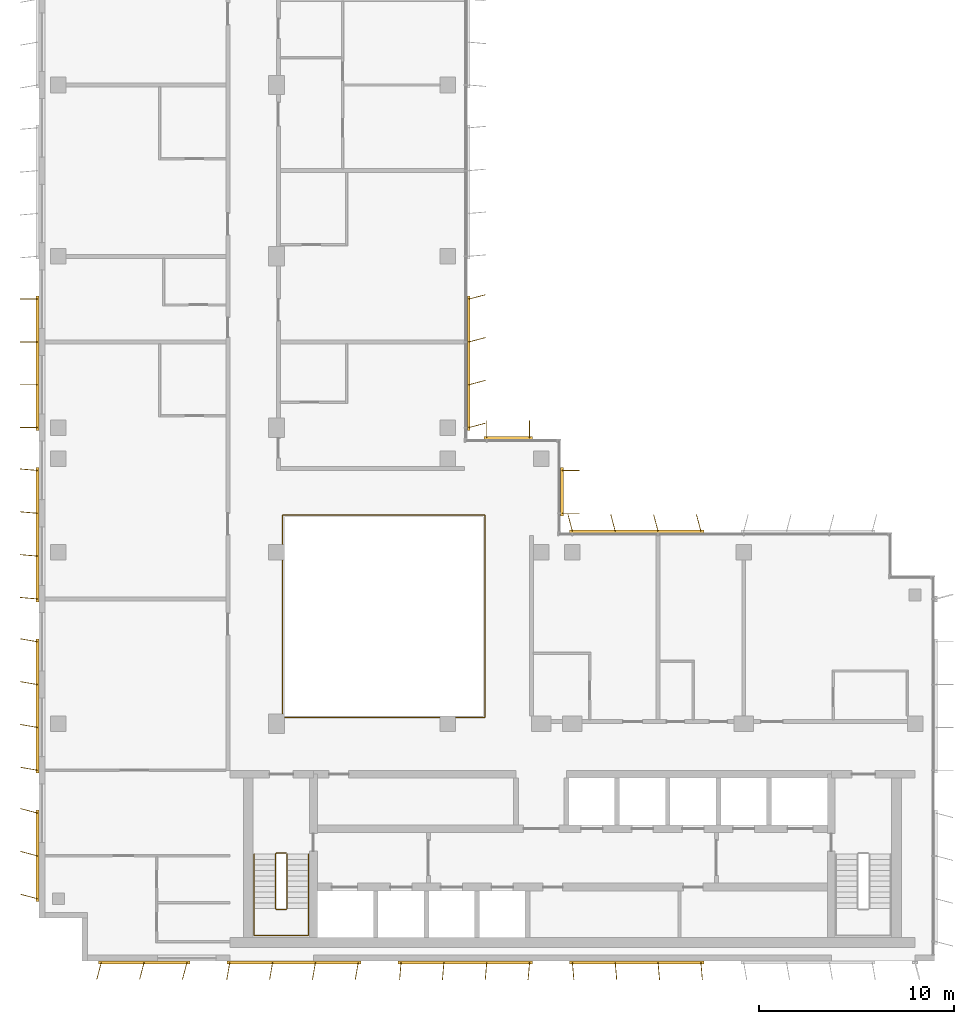
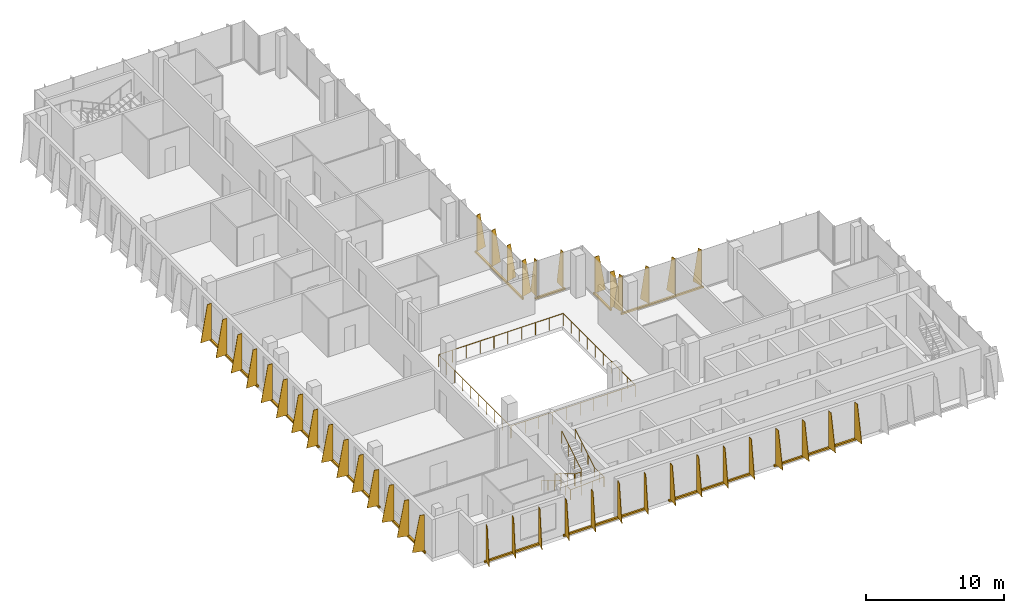
# One storey, part 13 of 15: 12 shading devices, 3 railings.
"""IFC4 building model written with IfcOpenShell, lengths in metres."""

from ifc_helpers import new_model, si_unit, direction, frame, origin, origin_2d, place, context, subcontext, project, spatial, polyline, rectangle, circle, outline, extrude, source, transform, mapped, material, layer, layer_set, type_object, element, save


model = new_model("IFC4")

# Units and contexts
model_context = context("Model", 3, precision=1e-05, world=origin(), true_north=direction((0.0, 1.0)))
body_context = subcontext(model_context, "Body", "Model", "MODEL_VIEW")
ifc_project = project(units=[si_unit("LENGTHUNIT", "METRE"), si_unit("AREAUNIT", "SQUARE_METRE"), si_unit("VOLUMEUNIT", "CUBIC_METRE"), si_unit("PLANEANGLEUNIT", "RADIAN"), si_unit("MASSUNIT", "GRAM", prefix="KILO")], contexts=[model_context])

# Site, building, storey
site_placement = place(None, origin())
site = spatial("IfcSite", under=ifc_project, at=site_placement, CompositionType="ELEMENT")
building_placement = place(site_placement, origin())
building = spatial("IfcBuilding", under=site, at=building_placement, Name="Kemantara Hotel Tower", CompositionType="ELEMENT")
storey_placement = place(building_placement, frame((0.0, 0.0, 264.800048828125)))
storey = spatial("IfcBuildingStorey", under=building, at=storey_placement, Name="L66", CompositionType="ELEMENT", Elevation=264.800048828125)

# Railings
ifc_material_1 = material(Name="Stainless steel and laminated glass balustrade", Category="steel")
railing_type_1 = type_object("IfcRailingType", Name="ATRIUM GUARD 1100", PredefinedType="GUARDRAIL", material=ifc_material_1)
railing_1_placement = place(storey_placement, frame((12.56005859375, 12.5, 0.0)))
element("IfcRailing", 1, at=railing_1_placement, inside=storey, type_object=railing_type_1, Name="ATRIUM GUARD L66", PredefinedType="GUARDRAIL", context=body_context, shape_type="SweptSolid", body=[
    extrude(circle(Radius=0.02490234375, at=origin_2d()), frame((0.0, 0.0, 1.0751953125), z_axis=(1.0, 0.0, 0.0), x_axis=(0.0, 1.0, 0.0)), (0.0, 0.0, 1.0), 10.33984375),
    extrude(circle(Radius=0.02490234375, at=origin_2d()), frame((10.33984375, 0.0, 1.0751953125), z_axis=(0.0, 1.0, 0.0), x_axis=(-1.0, 0.0, 0.0)), (0.0, 0.0, 1.0), 10.39990234375),
    extrude(circle(Radius=0.02490234375, at=origin_2d()), frame((10.33984375, 10.39990234375, 1.0751953125), z_axis=(-1.0, 0.0, 0.0), x_axis=(0.0, -1.0, 0.0)), (0.0, 0.0, 1.0), 10.39990234375),
    extrude(circle(Radius=0.02490234375, at=origin_2d()), frame((-0.06005859375, 10.39990234375, 1.0751953125), z_axis=(0.0, -1.0, 0.0), x_axis=(1.0, 0.0, 0.0)), (0.0, 0.0, 1.0), 10.39990234375),
    extrude(circle(Radius=0.02001953125, at=origin_2d()), origin(), (0.0, 0.0, 1.0), 1.050048828125),
    extrude(circle(Radius=0.02001953125, at=origin_2d()), frame((1.14892578125, 0.0, 0.0)), (0.0, 0.0, 1.0), 1.050048828125),
    extrude(circle(Radius=0.02001953125, at=origin_2d()), frame((2.2978515625, 0.0, 0.0)), (0.0, 0.0, 1.0), 1.050048828125),
    extrude(circle(Radius=0.02001953125, at=origin_2d()), frame((3.446533203125, 0.0, 0.0)), (0.0, 0.0, 1.0), 1.050048828125),
    extrude(circle(Radius=0.02001953125, at=origin_2d()), frame((4.595458984375, 0.0, 0.0)), (0.0, 0.0, 1.0), 1.050048828125),
    extrude(circle(Radius=0.02001953125, at=origin_2d()), frame((5.744384765625, 0.0, 0.0)), (0.0, 0.0, 1.0), 1.050048828125),
    extrude(circle(Radius=0.02001953125, at=origin_2d()), frame((6.893310546875, 0.0, 0.0)), (0.0, 0.0, 1.0), 1.050048828125),
    extrude(circle(Radius=0.02001953125, at=origin_2d()), frame((8.0419921875, 0.0, 0.0)), (0.0, 0.0, 1.0), 1.050048828125),
    extrude(circle(Radius=0.02001953125, at=origin_2d()), frame((9.19091796875, 0.0, 0.0)), (0.0, 0.0, 1.0), 1.050048828125),
    extrude(circle(Radius=0.02001953125, at=origin_2d()), frame((10.33984375, 0.0, 0.0)), (0.0, 0.0, 1.0), 1.050048828125),
    extrude(circle(Radius=0.02001953125, at=origin_2d()), frame((10.33984375, 1.155517578125, 0.0)), (0.0, 0.0, 1.0), 1.050048828125),
    extrude(circle(Radius=0.02001953125, at=origin_2d()), frame((10.33984375, 2.31103515625, 0.0)), (0.0, 0.0, 1.0), 1.050048828125),
    extrude(circle(Radius=0.02001953125, at=origin_2d()), frame((10.33984375, 3.466552734375, 0.0)), (0.0, 0.0, 1.0), 1.050048828125),
    extrude(circle(Radius=0.02001953125, at=origin_2d()), frame((10.33984375, 4.6220703125, 0.0)), (0.0, 0.0, 1.0), 1.050048828125),
    extrude(circle(Radius=0.02001953125, at=origin_2d()), frame((10.33984375, 5.77783203125, 0.0)), (0.0, 0.0, 1.0), 1.050048828125),
    extrude(circle(Radius=0.02001953125, at=origin_2d()), frame((10.33984375, 6.933349609375, 0.0)), (0.0, 0.0, 1.0), 1.050048828125),
    extrude(circle(Radius=0.02001953125, at=origin_2d()), frame((10.33984375, 8.0888671875, 0.0)), (0.0, 0.0, 1.0), 1.050048828125),
    extrude(circle(Radius=0.02001953125, at=origin_2d()), frame((10.33984375, 9.244384765625, 0.0)), (0.0, 0.0, 1.0), 1.050048828125),
    extrude(circle(Radius=0.02001953125, at=origin_2d()), frame((10.33984375, 10.39990234375, 0.0)), (0.0, 0.0, 1.0), 1.050048828125),
    extrude(circle(Radius=0.02001953125, at=origin_2d()), frame((9.184326171875, 10.39990234375, 0.0)), (0.0, 0.0, 1.0), 1.050048828125),
    extrude(circle(Radius=0.02001953125, at=origin_2d()), frame((8.02880859375, 10.39990234375, 0.0)), (0.0, 0.0, 1.0), 1.050048828125),
    extrude(circle(Radius=0.02001953125, at=origin_2d()), frame((6.873291015625, 10.39990234375, 0.0)), (0.0, 0.0, 1.0), 1.050048828125),
    extrude(circle(Radius=0.02001953125, at=origin_2d()), frame((5.7177734375, 10.39990234375, 0.0)), (0.0, 0.0, 1.0), 1.050048828125),
    extrude(circle(Radius=0.02001953125, at=origin_2d()), frame((4.56201171875, 10.39990234375, 0.0)), (0.0, 0.0, 1.0), 1.050048828125),
    extrude(circle(Radius=0.02001953125, at=origin_2d()), frame((3.406494140625, 10.39990234375, 0.0)), (0.0, 0.0, 1.0), 1.050048828125),
    extrude(circle(Radius=0.02001953125, at=origin_2d()), frame((2.2509765625, 10.39990234375, 0.0)), (0.0, 0.0, 1.0), 1.050048828125),
    extrude(circle(Radius=0.02001953125, at=origin_2d()), frame((1.095458984375, 10.39990234375, 0.0)), (0.0, 0.0, 1.0), 1.050048828125),
    extrude(circle(Radius=0.02001953125, at=origin_2d()), frame((-0.06005859375, 10.39990234375, 0.0)), (0.0, 0.0, 1.0), 1.050048828125),
    extrude(circle(Radius=0.02001953125, at=origin_2d()), frame((-0.06005859375, 9.244384765625, 0.0)), (0.0, 0.0, 1.0), 1.050048828125),
    extrude(circle(Radius=0.02001953125, at=origin_2d()), frame((-0.06005859375, 8.0888671875, 0.0)), (0.0, 0.0, 1.0), 1.050048828125),
    extrude(circle(Radius=0.02001953125, at=origin_2d()), frame((-0.06005859375, 6.933349609375, 0.0)), (0.0, 0.0, 1.0), 1.050048828125),
    extrude(circle(Radius=0.02001953125, at=origin_2d()), frame((-0.06005859375, 5.77783203125, 0.0)), (0.0, 0.0, 1.0), 1.050048828125),
    extrude(circle(Radius=0.02001953125, at=origin_2d()), frame((-0.06005859375, 4.6220703125, 0.0)), (0.0, 0.0, 1.0), 1.050048828125),
    extrude(circle(Radius=0.02001953125, at=origin_2d()), frame((-0.06005859375, 3.466552734375, 0.0)), (0.0, 0.0, 1.0), 1.050048828125),
    extrude(circle(Radius=0.02001953125, at=origin_2d()), frame((-0.06005859375, 2.31103515625, 0.0)), (0.0, 0.0, 1.0), 1.050048828125),
    extrude(circle(Radius=0.02001953125, at=origin_2d()), frame((-0.06005859375, 1.155517578125, 0.0)), (0.0, 0.0, 1.0), 1.050048828125),
    extrude(circle(Radius=0.02001953125, at=origin_2d()), frame((-0.06005859375, 0.0, 0.0)), (0.0, 0.0, 1.0), 1.050048828125),
])
ifc_material_2 = material(Name="Stainless steel balustrade", Category="steel")
railing_type_2 = type_object("IfcRailingType", Name="Stair guard 1100 mm", PredefinedType="GUARDRAIL", material=ifc_material_2)
railing_2_placement = place(storey_placement, frame((12.75, 5.5, 3.699951171875)))
element("IfcRailing", 2, at=railing_2_placement, inside=storey, type_object=railing_type_2, Name="L66 ST1 stair guard 1", PredefinedType="GUARDRAIL", context=body_context, shape_type="SweptSolid", body=[
    extrude(circle(Radius=0.02392578125, at=origin_2d()), frame((0.0, 0.0, 1.076171875), z_axis=(0.0, -0.857242210791, -0.514913383045), x_axis=(1.0, 0.0, 0.0)), (0.0, 0.0, 1.0), 3.266357421875),
    extrude(circle(Radius=0.02392578125, at=origin_2d()), frame((0.0, -2.800048828125, -0.60595703125), z_axis=(-0.274243871929, -0.274243871929, -0.92172696468), x_axis=(0.707106781187, -0.707106781187, 0.0)), (0.0, 0.0, 1.0), 0.1826171875),
    extrude(circle(Radius=0.02392578125, at=origin_2d()), frame((-0.050048828125, -2.85009765625, -0.77392578125), z_axis=(-1.0, 0.0, 0.0), x_axis=(0.0, -1.0, 0.0)), (0.0, 0.0, 1.0), 0.5),
    extrude(circle(Radius=0.02392578125, at=origin_2d()), frame((-0.550048828125, -2.85009765625, -0.77392578125), z_axis=(-0.707106781187, 0.707106781187, 0.0), x_axis=(-0.707106781187, -0.707106781187, 0.0)), (0.0, 0.0, 1.0), 0.07080078125),
    extrude(circle(Radius=0.02392578125, at=origin_2d()), frame((-0.60009765625, -2.800048828125, -0.77392578125), z_axis=(0.0, 0.857275202839, -0.514858452973), x_axis=(-1.0, 0.0, 0.0)), (0.0, 0.0, 1.0), 3.26611328125),
    extrude(circle(Radius=0.02392578125, at=origin_2d()), frame((-0.60009765625, 0.0, -2.45556640625), z_axis=(0.274243871929, 0.274243871929, -0.92172696468), x_axis=(-0.707106781187, 0.707106781187, 0.0)), (0.0, 0.0, 1.0), 0.1826171875),
    extrude(circle(Radius=0.02392578125, at=origin_2d()), frame((-0.550048828125, 0.050048828125, -2.6240234375), z_axis=(1.0, 0.0, 0.0), x_axis=(0.0, 1.0, 0.0)), (0.0, 0.0, 1.0), 0.5),
    extrude(circle(Radius=0.02099609375, at=origin_2d()), origin(), (0.0, 0.0, 1.0), 1.052001953125),
    extrude(circle(Radius=0.02099609375, at=origin_2d()), frame((0.0, -0.933349609375, -0.560546875)), (0.0, 0.0, 1.0), 1.052001953125),
    extrude(circle(Radius=0.02099609375, at=origin_2d()), frame((0.0, -1.86669921875, -1.121337890625)), (0.0, 0.0, 1.0), 1.052001953125),
    extrude(circle(Radius=0.02099609375, at=origin_2d()), frame((0.0, -2.800048828125, -1.681884765625)), (0.0, 0.0, 1.0), 1.052001953125),
    extrude(circle(Radius=0.02099609375, at=origin_2d()), frame((-0.050048828125, -2.85009765625, -1.85009765625)), (0.0, 0.0, 1.0), 1.052001953125),
    extrude(circle(Radius=0.02099609375, at=origin_2d()), frame((-0.550048828125, -2.85009765625, -1.85009765625)), (0.0, 0.0, 1.0), 1.052001953125),
    extrude(circle(Radius=0.02099609375, at=origin_2d()), frame((-0.60009765625, -2.800048828125, -1.85009765625)), (0.0, 0.0, 1.0), 1.052001953125),
    extrude(circle(Radius=0.02099609375, at=origin_2d()), frame((-0.60009765625, -1.86669921875, -2.41064453125)), (0.0, 0.0, 1.0), 1.052001953125),
    extrude(circle(Radius=0.02099609375, at=origin_2d()), frame((-0.60009765625, -0.933349609375, -2.97119140625)), (0.0, 0.0, 1.0), 1.052001953125),
    extrude(circle(Radius=0.02099609375, at=origin_2d()), frame((-0.60009765625, 0.0, -3.53173828125)), (0.0, 0.0, 1.0), 1.052001953125),
    extrude(circle(Radius=0.02099609375, at=origin_2d()), frame((-0.550048828125, 0.050048828125, -3.699951171875)), (0.0, 0.0, 1.0), 1.052001953125),
    extrude(circle(Radius=0.02099609375, at=origin_2d()), frame((-0.050048828125, 0.050048828125, -3.699951171875)), (0.0, 0.0, 1.0), 1.052001953125),
])
railing_type_3 = type_object("IfcRailingType", Name="Stair handrail 900 mm", PredefinedType="HANDRAIL", material=ifc_material_2)
railing_3_placement = place(storey_placement, frame((11.050048828125, 5.5, 0.168212890625)))
element("IfcRailing", 3, at=railing_3_placement, inside=storey, type_object=railing_type_3, Name="L66 ST1 stair handrail 1", PredefinedType="HANDRAIL", context=body_context, shape_type="SweptSolid", body=[
    extrude(circle(Radius=0.02392578125, at=origin_2d()), frame((0.0, 0.0, 0.8759765625), z_axis=(0.0, -0.857275202839, 0.514858452973), x_axis=(1.0, 0.0, 0.0)), (0.0, 0.0, 1.0), 3.26611328125),
    extrude(circle(Radius=0.02392578125, at=origin_2d()), frame((0.0, -2.800048828125, 2.5576171875), z_axis=(0.0, -1.0, 0.0), x_axis=(1.0, 0.0, 0.0)), (0.0, 0.0, 1.0), 1.3798828125),
    extrude(circle(Radius=0.02392578125, at=origin_2d()), frame((0.0, -4.179931640625, 2.5576171875), z_axis=(0.998200367801, 0.0, 0.059966871865), x_axis=(0.0, 1.0, 0.0)), (0.0, 0.0, 1.0), 2.80517578125),
    extrude(circle(Radius=0.02392578125, at=origin_2d()), frame((2.800048828125, -4.179931640625, 2.7255859375), z_axis=(0.0, 1.0, 0.0), x_axis=(-1.0, 0.0, 0.0)), (0.0, 0.0, 1.0), 1.3798828125),
    extrude(circle(Radius=0.02392578125, at=origin_2d()), frame((2.800048828125, -2.800048828125, 2.7255859375), z_axis=(0.0, 0.857242210791, 0.514913383045), x_axis=(-1.0, 0.0, 0.0)), (0.0, 0.0, 1.0), 3.266357421875),
    extrude(circle(Radius=0.02099609375, at=origin_2d()), origin(), (0.0, 0.0, 1.0), 0.851806640625),
    extrude(circle(Radius=0.02099609375, at=origin_2d()), frame((0.0, -0.933349609375, 0.560546875)), (0.0, 0.0, 1.0), 0.851806640625),
    extrude(circle(Radius=0.02099609375, at=origin_2d()), frame((0.0, -1.86669921875, 1.12109375)), (0.0, 0.0, 1.0), 0.851806640625),
    extrude(circle(Radius=0.02099609375, at=origin_2d()), frame((0.0, -2.800048828125, 1.681640625)), (0.0, 0.0, 1.0), 0.851806640625),
    extrude(circle(Radius=0.02099609375, at=origin_2d()), frame((0.0, -3.489990234375, 1.681640625)), (0.0, 0.0, 1.0), 0.851806640625),
    extrude(circle(Radius=0.02099609375, at=origin_2d()), frame((0.0, -4.179931640625, 1.681640625)), (0.0, 0.0, 1.0), 0.851806640625),
    extrude(circle(Radius=0.02099609375, at=origin_2d()), frame((0.933349609375, -4.179931640625, 1.73779296875)), (0.0, 0.0, 1.0), 0.851806640625),
    extrude(circle(Radius=0.02099609375, at=origin_2d()), frame((1.86669921875, -4.179931640625, 1.793701171875)), (0.0, 0.0, 1.0), 0.851806640625),
    extrude(circle(Radius=0.02099609375, at=origin_2d()), frame((2.800048828125, -4.179931640625, 1.849853515625)), (0.0, 0.0, 1.0), 0.851806640625),
    extrude(circle(Radius=0.02099609375, at=origin_2d()), frame((2.800048828125, -3.489990234375, 1.849853515625)), (0.0, 0.0, 1.0), 0.851806640625),
    extrude(circle(Radius=0.02099609375, at=origin_2d()), frame((2.800048828125, -2.800048828125, 1.849853515625)), (0.0, 0.0, 1.0), 0.851806640625),
    extrude(circle(Radius=0.02099609375, at=origin_2d()), frame((2.800048828125, -1.86669921875, 2.410400390625)), (0.0, 0.0, 1.0), 0.851806640625),
    extrude(circle(Radius=0.02099609375, at=origin_2d()), frame((2.800048828125, -0.933349609375, 2.97119140625)), (0.0, 0.0, 1.0), 0.851806640625),
    extrude(circle(Radius=0.02099609375, at=origin_2d()), frame((2.800048828125, 0.0, 3.53173828125)), (0.0, 0.0, 1.0), 0.851806640625),
])

# Shading devices
ifc_material_3 = material(Name="Perforated aluminium plate 4 mm bronze anodised", Category="aluminium")
ifc_layer_1 = layer(ifc_material_3, 0.0400390625)
ifc_layer_set_1 = layer_set([ifc_layer_1], Name="Perforated aluminium plate 4 mm bronze anodised")
shading_device_type_1 = type_object("IfcShadingDeviceType", Name="SCREEN FIN CASSETTE, 3 BLADES AT -15.0 DEG, 3200 HIGH", PredefinedType="USERDEFINED", material=ifc_layer_set_1)
shared_shape_1 = source(origin(), body_context, "Body", "SweptSolid", [
    extrude(rectangle(XDim=4.699951171875, YDim=0.14990234375, at=origin_2d()), frame((2.199951171875, -0.074951171875, -0.14990234375), z_axis=(0.0, 0.0, 1.0), x_axis=(1.0, 0.0, 0.0)), (0.0, 0.0, 1.0), 0.14990234375),
    extrude(outline(polyline([(0.0, 0.0), (0.89990234375, 0.0), (0.35009765625, 3.199951171875), (0.0, 3.199951171875), (0.0, 0.0)])), frame((0.019287109375, -0.080078125, 0.0), z_axis=(-0.966437683387, 0.256901156343, 0.0), x_axis=(-0.256901156343, -0.966437683387, 0.0)), (0.0, 0.0, 1.0), 0.039794921875),
    extrude(outline(polyline([(0.0, 0.0), (0.89990234375, 0.0), (0.35009765625, 3.199951171875), (0.0, 3.199951171875), (0.0, 0.0)])), frame((2.21923828125, -0.080078125, 0.0), z_axis=(-0.966437683387, 0.256901156343, 0.0), x_axis=(-0.256901156343, -0.966437683387, 0.0)), (0.0, 0.0, 1.0), 0.039794921875),
    extrude(outline(polyline([(0.0, 0.0), (0.89990234375, 0.0), (0.35009765625, 3.199951171875), (0.0, 3.199951171875), (0.0, 0.0)])), frame((4.41943359375, -0.080078125, 0.0), z_axis=(-0.966837822169, 0.255391122837, 0.0), x_axis=(-0.255391122837, -0.966837822169, 0.0)), (0.0, 0.0, 1.0), 0.0400390625),
])
for number, where, z_axis, x_axis, name in (
    (4, (0.0, 7.60009765625, 0.099853515625), (0.0, 0.0, 1.0), (0.0, -1.0, 0.0), "SCREEN FIN CASSETTE L66 T4-R05-7"),
    (5, (3.199951171875, 0.0, 0.099853515625), (0.0, 0.0, 1.0), (1.0, 0.0, 0.0), "SCREEN FIN CASSETTE L66 T4-R08-1"),
):
    element("IfcShadingDevice", number, at=place(storey_placement, frame(where, z_axis=z_axis, x_axis=x_axis)), inside=storey, type_object=shading_device_type_1, Name=name, ObjectType="SCREEN FIN", PredefinedType="USERDEFINED", context=body_context, shape_type="MappedRepresentation", body=[
        mapped(shared_shape_1, transform((0.0, 0.0, 0.0))),
    ])
ifc_layer_2 = layer(ifc_material_3, 0.0400390625)
ifc_layer_set_2 = layer_set([ifc_layer_2], Name="Perforated aluminium plate 4 mm bronze anodised")
shading_device_type_2 = type_object("IfcShadingDeviceType", Name="SCREEN FIN CASSETTE, 4 BLADES AT -10.0 DEG, 3200 HIGH", PredefinedType="USERDEFINED", material=ifc_layer_set_2)
shared_shape_2 = source(origin(), body_context, "Body", "SweptSolid", [
    extrude(rectangle(XDim=6.89990234375, YDim=0.14990234375, at=origin_2d()), frame((3.300048828125, -0.074951171875, -0.14990234375), z_axis=(0.0, 0.0, 1.0), x_axis=(1.0, 0.0, 0.0)), (0.0, 0.0, 1.0), 0.14990234375),
    extrude(outline(polyline([(0.0, 0.0), (0.89990234375, 0.0), (0.35009765625, 3.199951171875), (0.0, 3.199951171875), (0.0, 0.0)])), frame((0.019775390625, -0.078369140625, 0.0), z_axis=(-0.985389793052, 0.170314285219, 0.0), x_axis=(-0.170314285219, -0.985389793052, 0.0)), (0.0, 0.0, 1.0), 0.0400390625),
    extrude(outline(polyline([(0.0, 0.0), (0.89990234375, 0.0), (0.35009765625, 3.199951171875), (0.0, 3.199951171875), (0.0, 0.0)])), frame((2.2197265625, -0.078369140625, 0.0), z_axis=(-0.98521175482, 0.171341174751, 0.0), x_axis=(-0.171341174751, -0.98521175482, 0.0)), (0.0, 0.0, 1.0), 0.039794921875),
    extrude(outline(polyline([(0.0, 0.0), (0.89990234375, 0.0), (0.35009765625, 3.199951171875), (0.0, 3.199951171875), (0.0, 0.0)])), frame((4.419677734375, -0.078369140625, 0.0), z_axis=(-0.98521175482, 0.171341174751, 0.0), x_axis=(-0.171341174751, -0.98521175482, 0.0)), (0.0, 0.0, 1.0), 0.039794921875),
    extrude(outline(polyline([(0.0, 0.0), (0.89990234375, 0.0), (0.35009765625, 3.199951171875), (0.0, 3.199951171875), (0.0, 0.0)])), frame((6.61962890625, -0.078369140625, 0.0), z_axis=(-0.98521175482, 0.171341174751, 0.0), x_axis=(-0.171341174751, -0.98521175482, 0.0)), (0.0, 0.0, 1.0), 0.039794921875),
])
for number, where, z_axis, x_axis, name in (
    (6, (0.0, 16.39990234375, 0.099853515625), (0.0, 0.0, 1.0), (0.0, -1.0, 0.0), "SCREEN FIN CASSETTE L66 T4-R05-6"),
    (7, (9.800048828125, 0.0, 0.099853515625), (0.0, 0.0, 1.0), (1.0, 0.0, 0.0), "SCREEN FIN CASSETTE L66 T4-R08-2"),
):
    element("IfcShadingDevice", number, at=place(storey_placement, frame(where, z_axis=z_axis, x_axis=x_axis)), inside=storey, type_object=shading_device_type_2, Name=name, ObjectType="SCREEN FIN", PredefinedType="USERDEFINED", context=body_context, shape_type="MappedRepresentation", body=[
        mapped(shared_shape_2, transform((0.0, 0.0, 0.0))),
    ])
ifc_layer_3 = layer(ifc_material_3, 0.0400390625)
ifc_layer_set_3 = layer_set([ifc_layer_3], Name="Perforated aluminium plate 4 mm bronze anodised")
shading_device_type_3 = type_object("IfcShadingDeviceType", Name="SCREEN FIN CASSETTE, 4 BLADES AT -5.0 DEG, 3200 HIGH", PredefinedType="USERDEFINED", material=ifc_layer_set_3)
shared_shape_3 = source(origin(), body_context, "Body", "SweptSolid", [
    extrude(rectangle(XDim=6.89990234375, YDim=0.14990234375, at=origin_2d()), frame((3.300048828125, -0.074951171875, -0.14990234375), z_axis=(0.0, 0.0, 1.0), x_axis=(1.0, 0.0, 0.0)), (0.0, 0.0, 1.0), 0.14990234375),
    extrude(outline(polyline([(0.0, 0.0), (0.89990234375, 0.0), (0.35009765625, 3.199951171875), (0.0, 3.199951171875), (0.0, 0.0)])), frame((0.02001953125, -0.07666015625, 0.0), z_axis=(-0.996376129781, 0.085056498884, 0.0), x_axis=(-0.085056498884, -0.996376129781, 0.0)), (0.0, 0.0, 1.0), 0.040283203125),
    extrude(outline(polyline([(0.0, 0.0), (0.89990234375, 0.0), (0.35009765625, 3.199951171875), (0.0, 3.199951171875), (0.0, 0.0)])), frame((2.219970703125, -0.07666015625, 0.0), z_axis=(-0.996331773833, 0.085574508182, 0.0), x_axis=(-0.085574508182, -0.996331773833, 0.0)), (0.0, 0.0, 1.0), 0.0400390625),
    extrude(outline(polyline([(0.0, 0.0), (0.89990234375, 0.0), (0.35009765625, 3.199951171875), (0.0, 3.199951171875), (0.0, 0.0)])), frame((4.419921875, -0.07666015625, 0.0), z_axis=(-0.996331773833, 0.085574508182, 0.0), x_axis=(-0.085574508182, -0.996331773833, 0.0)), (0.0, 0.0, 1.0), 0.0400390625),
    extrude(outline(polyline([(0.0, 0.0), (0.89990234375, 0.0), (0.35009765625, 3.199951171875), (0.0, 3.199951171875), (0.0, 0.0)])), frame((6.619873046875, -0.07666015625, 0.0), z_axis=(-0.996331773833, 0.085574508182, 0.0), x_axis=(-0.085574508182, -0.996331773833, 0.0)), (0.0, 0.0, 1.0), 0.0400390625),
])
for number, where, z_axis, x_axis, name in (
    (8, (0.0, 25.199951171875, 0.099853515625), (0.0, 0.0, 1.0), (0.0, -1.0, 0.0), "SCREEN FIN CASSETTE L66 T4-R05-5"),
    (9, (18.60009765625, 0.0, 0.099853515625), (0.0, 0.0, 1.0), (1.0, 0.0, 0.0), "SCREEN FIN CASSETTE L66 T4-R08-3"),
):
    element("IfcShadingDevice", number, at=place(storey_placement, frame(where, z_axis=z_axis, x_axis=x_axis)), inside=storey, type_object=shading_device_type_3, Name=name, ObjectType="SCREEN FIN", PredefinedType="USERDEFINED", context=body_context, shape_type="MappedRepresentation", body=[
        mapped(shared_shape_3, transform((0.0, 0.0, 0.0))),
    ])
ifc_layer_4 = layer(ifc_material_3, 0.0400390625)
ifc_layer_set_4 = layer_set([ifc_layer_4], Name="Perforated aluminium plate 4 mm bronze anodised")
shading_device_type_4 = type_object("IfcShadingDeviceType", Name="SCREEN FIN CASSETTE, 4 BLADES AT +0.0 DEG, 3200 HIGH", PredefinedType="USERDEFINED", material=ifc_layer_set_4)
shared_shape_4 = source(origin(), body_context, "Body", "SweptSolid", [
    extrude(rectangle(XDim=6.89990234375, YDim=0.14990234375, at=origin_2d()), frame((3.300048828125, -0.074951171875, -0.14990234375), z_axis=(0.0, 0.0, 1.0), x_axis=(1.0, 0.0, 0.0)), (0.0, 0.0, 1.0), 0.14990234375),
    extrude(outline(polyline([(0.0, 0.0), (0.89990234375, 0.0), (0.35009765625, 3.199951171875), (0.0, 3.199951171875), (0.0, 0.0)])), frame((0.02001953125, -0.074951171875, 0.0), z_axis=(-1.0, 0.0, 0.0), x_axis=(0.0, -1.0, 0.0)), (0.0, 0.0, 1.0), 0.0400390625),
    extrude(outline(polyline([(0.0, 0.0), (0.89990234375, 0.0), (0.35009765625, 3.199951171875), (0.0, 3.199951171875), (0.0, 0.0)])), frame((2.219970703125, -0.074951171875, 0.0), z_axis=(-1.0, 0.0, 0.0), x_axis=(0.0, -1.0, 0.0)), (0.0, 0.0, 1.0), 0.0400390625),
    extrude(outline(polyline([(0.0, 0.0), (0.89990234375, 0.0), (0.35009765625, 3.199951171875), (0.0, 3.199951171875), (0.0, 0.0)])), frame((4.419921875, -0.074951171875, 0.0), z_axis=(-1.0, 0.0, 0.0), x_axis=(0.0, -1.0, 0.0)), (0.0, 0.0, 1.0), 0.0400390625),
    extrude(outline(polyline([(0.0, 0.0), (0.89990234375, 0.0), (0.35009765625, 3.199951171875), (0.0, 3.199951171875), (0.0, 0.0)])), frame((6.6201171875, -0.074951171875, 0.0), z_axis=(-1.0, 0.0, 0.0), x_axis=(0.0, -1.0, 0.0)), (0.0, 0.0, 1.0), 0.0400390625),
])
shading_device_1_placement = place(storey_placement, frame((0.0, 34.0, 0.099853515625), z_axis=(0.0, 0.0, 1.0), x_axis=(0.0, -1.0, 0.0)))
element("IfcShadingDevice", 10, at=shading_device_1_placement, inside=storey, type_object=shading_device_type_4, Name="SCREEN FIN CASSETTE L66 T4-R05-4", ObjectType="SCREEN FIN", PredefinedType="USERDEFINED", context=body_context, shape_type="MappedRepresentation", body=[
    mapped(shared_shape_4, transform((0.0, 0.0, 0.0))),
])
ifc_layer_5 = layer(ifc_material_3, 0.0400390625)
ifc_layer_set_5 = layer_set([ifc_layer_5], Name="Perforated aluminium plate 4 mm bronze anodised")
shading_device_type_5 = type_object("IfcShadingDeviceType", Name="SCREEN FIN CASSETTE, 4 BLADES AT +5.0 DEG, 3200 HIGH", PredefinedType="USERDEFINED", material=ifc_layer_set_5)
shared_shape_5 = source(origin(), body_context, "Body", "SweptSolid", [
    extrude(rectangle(XDim=6.89990234375, YDim=0.14990234375, at=origin_2d()), frame((3.300048828125, -0.074951171875, -0.14990234375), z_axis=(0.0, 0.0, 1.0), x_axis=(1.0, 0.0, 0.0)), (0.0, 0.0, 1.0), 0.14990234375),
    extrude(outline(polyline([(0.0, 0.0), (0.89990234375, 0.0), (0.35009765625, 3.199951171875), (0.0, 3.199951171875), (0.0, 0.0)])), frame((0.02001953125, -0.0732421875, 0.0), z_axis=(-0.996376129781, -0.085056498884, 0.0), x_axis=(0.085056498884, -0.996376129781, 0.0)), (0.0, 0.0, 1.0), 0.040283203125),
    extrude(outline(polyline([(0.0, 0.0), (0.89990234375, 0.0), (0.35009765625, 3.199951171875), (0.0, 3.199951171875), (0.0, 0.0)])), frame((2.219970703125, -0.0732421875, 0.0), z_axis=(-0.996331773833, -0.085574508182, 0.0), x_axis=(0.085574508182, -0.996331773833, 0.0)), (0.0, 0.0, 1.0), 0.0400390625),
    extrude(outline(polyline([(0.0, 0.0), (0.89990234375, 0.0), (0.35009765625, 3.199951171875), (0.0, 3.199951171875), (0.0, 0.0)])), frame((4.419921875, -0.0732421875, 0.0), z_axis=(-0.996331773833, -0.085574508182, 0.0), x_axis=(0.085574508182, -0.996331773833, 0.0)), (0.0, 0.0, 1.0), 0.0400390625),
    extrude(outline(polyline([(0.0, 0.0), (0.89990234375, 0.0), (0.35009765625, 3.199951171875), (0.0, 3.199951171875), (0.0, 0.0)])), frame((6.619873046875, -0.0732421875, 0.0), z_axis=(-0.996331773833, -0.085574508182, 0.0), x_axis=(0.085574508182, -0.996331773833, 0.0)), (0.0, 0.0, 1.0), 0.0400390625),
])
shading_device_2_placement = place(storey_placement, frame((27.39990234375, 0.0, 0.099853515625), z_axis=(0.0, 0.0, 1.0), x_axis=(1.0, 0.0, 0.0)))
element("IfcShadingDevice", 11, at=shading_device_2_placement, inside=storey, type_object=shading_device_type_5, Name="SCREEN FIN CASSETTE L66 T4-R08-4", ObjectType="SCREEN FIN", PredefinedType="USERDEFINED", context=body_context, shape_type="MappedRepresentation", body=[
    mapped(shared_shape_5, transform((0.0, 0.0, 0.0))),
])
ifc_layer_6 = layer(ifc_material_3, 0.0400390625)
ifc_layer_set_6 = layer_set([ifc_layer_6], Name="Perforated aluminium plate 4 mm bronze anodised")
shading_device_type_6 = type_object("IfcShadingDeviceType", Name="SCREEN FIN CASSETTE, 4 BLADES AT +15.0 DEG, 3200 HIGH", PredefinedType="USERDEFINED", material=ifc_layer_set_6)
shared_shape_6 = source(origin(), body_context, "Body", "SweptSolid", [
    extrude(rectangle(XDim=6.89990234375, YDim=0.14990234375, at=origin_2d()), frame((3.300048828125, -0.074951171875, -0.14990234375), z_axis=(0.0, 0.0, 1.0), x_axis=(1.0, 0.0, 0.0)), (0.0, 0.0, 1.0), 0.14990234375),
    extrude(outline(polyline([(0.0, 0.0), (0.89990234375, 0.0), (0.35009765625, 3.199951171875), (0.0, 3.199951171875), (0.0, 0.0)])), frame((0.019287109375, -0.06982421875, 0.0), z_axis=(-0.966437683387, -0.256901156343, 0.0), x_axis=(0.256901156343, -0.966437683387, 0.0)), (0.0, 0.0, 1.0), 0.039794921875),
    extrude(outline(polyline([(0.0, 0.0), (0.89990234375, 0.0), (0.35009765625, 3.199951171875), (0.0, 3.199951171875), (0.0, 0.0)])), frame((2.21923828125, -0.06982421875, 0.0), z_axis=(-0.966437683387, -0.256901156343, 0.0), x_axis=(0.256901156343, -0.966437683387, 0.0)), (0.0, 0.0, 1.0), 0.039794921875),
    extrude(outline(polyline([(0.0, 0.0), (0.89990234375, 0.0), (0.35009765625, 3.199951171875), (0.0, 3.199951171875), (0.0, 0.0)])), frame((4.41943359375, -0.06982421875, 0.0), z_axis=(-0.966837822169, -0.255391122837, 0.0), x_axis=(0.255391122837, -0.966837822169, 0.0)), (0.0, 0.0, 1.0), 0.0400390625),
    extrude(outline(polyline([(0.0, 0.0), (0.89990234375, 0.0), (0.35009765625, 3.199951171875), (0.0, 3.199951171875), (0.0, 0.0)])), frame((6.619384765625, -0.06982421875, 0.0), z_axis=(-0.966837822169, -0.255391122837, 0.0), x_axis=(0.255391122837, -0.966837822169, 0.0)), (0.0, 0.0, 1.0), 0.0400390625),
])
for number, where, z_axis, x_axis, name in (
    (12, (34.0, 22.0, 0.099853515625), (0.0, 0.0, 1.0), (-1.0, 0.0, 0.0), "SCREEN FIN CASSETTE L66 T4-R12-2"),
    (13, (22.0, 27.39990234375, 0.099853515625), (0.0, 0.0, 1.0), (0.0, 1.0, 0.0), "SCREEN FIN CASSETTE L66 T4-R15-1"),
):
    element("IfcShadingDevice", number, at=place(storey_placement, frame(where, z_axis=z_axis, x_axis=x_axis)), inside=storey, type_object=shading_device_type_6, Name=name, ObjectType="SCREEN FIN", PredefinedType="USERDEFINED", context=body_context, shape_type="MappedRepresentation", body=[
        mapped(shared_shape_6, transform((0.0, 0.0, 0.0))),
    ])
ifc_layer_7 = layer(ifc_material_3, 0.0400390625)
ifc_layer_set_7 = layer_set([ifc_layer_7], Name="Perforated aluminium plate 4 mm bronze anodised")
shading_device_type_7 = type_object("IfcShadingDeviceType", Name="SCREEN FIN CASSETTE, 2 BLADES AT +0.0 DEG, 3200 HIGH", PredefinedType="USERDEFINED", material=ifc_layer_set_7)
shared_shape_7 = source(origin(), body_context, "Body", "SweptSolid", [
    extrude(rectangle(XDim=2.5, YDim=0.14990234375, at=origin_2d()), frame((1.10009765625, -0.074951171875, -0.14990234375), z_axis=(0.0, 0.0, 1.0), x_axis=(1.0, 0.0, 0.0)), (0.0, 0.0, 1.0), 0.14990234375),
    extrude(outline(polyline([(0.0, 0.0), (0.89990234375, 0.0), (0.35009765625, 3.199951171875), (0.0, 3.199951171875), (0.0, 0.0)])), frame((0.02001953125, -0.074951171875, 0.0), z_axis=(-1.0, 0.0, 0.0), x_axis=(0.0, -1.0, 0.0)), (0.0, 0.0, 1.0), 0.0400390625),
    extrude(outline(polyline([(0.0, 0.0), (0.89990234375, 0.0), (0.35009765625, 3.199951171875), (0.0, 3.199951171875), (0.0, 0.0)])), frame((2.219970703125, -0.074951171875, 0.0), z_axis=(-1.0, 0.0, 0.0), x_axis=(0.0, -1.0, 0.0)), (0.0, 0.0, 1.0), 0.0400390625),
])
for number, where, z_axis, x_axis, name in (
    (14, (26.800048828125, 23.0, 0.099853515625), (0.0, 0.0, 1.0), (0.0, 1.0, 0.0), "SCREEN FIN CASSETTE L66 T4-R13-1"),
    (15, (25.199951171875, 26.800048828125, 0.099853515625), (0.0, 0.0, 1.0), (-1.0, 0.0, 0.0), "SCREEN FIN CASSETTE L66 T4-R14-1"),
):
    element("IfcShadingDevice", number, at=place(storey_placement, frame(where, z_axis=z_axis, x_axis=x_axis)), inside=storey, type_object=shading_device_type_7, Name=name, ObjectType="SCREEN FIN", PredefinedType="USERDEFINED", context=body_context, shape_type="MappedRepresentation", body=[
        mapped(shared_shape_7, transform((0.0, 0.0, 0.0))),
    ])

save(model, "model.ifc")
